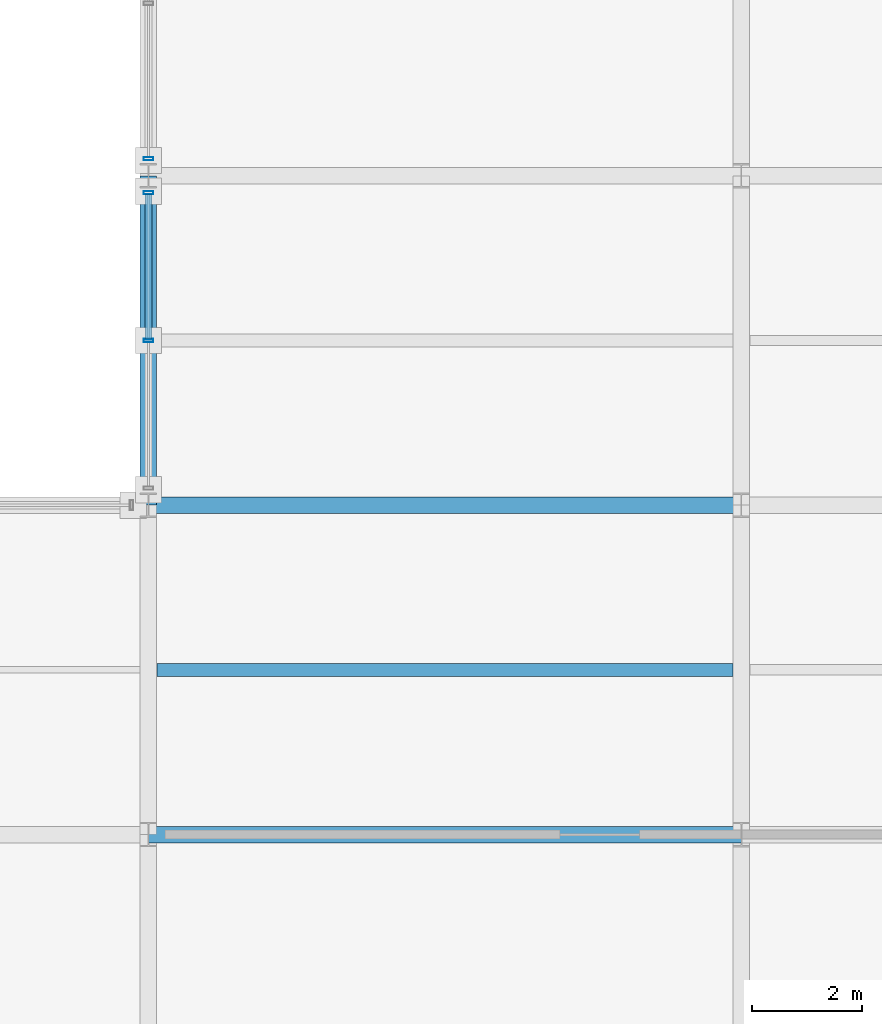
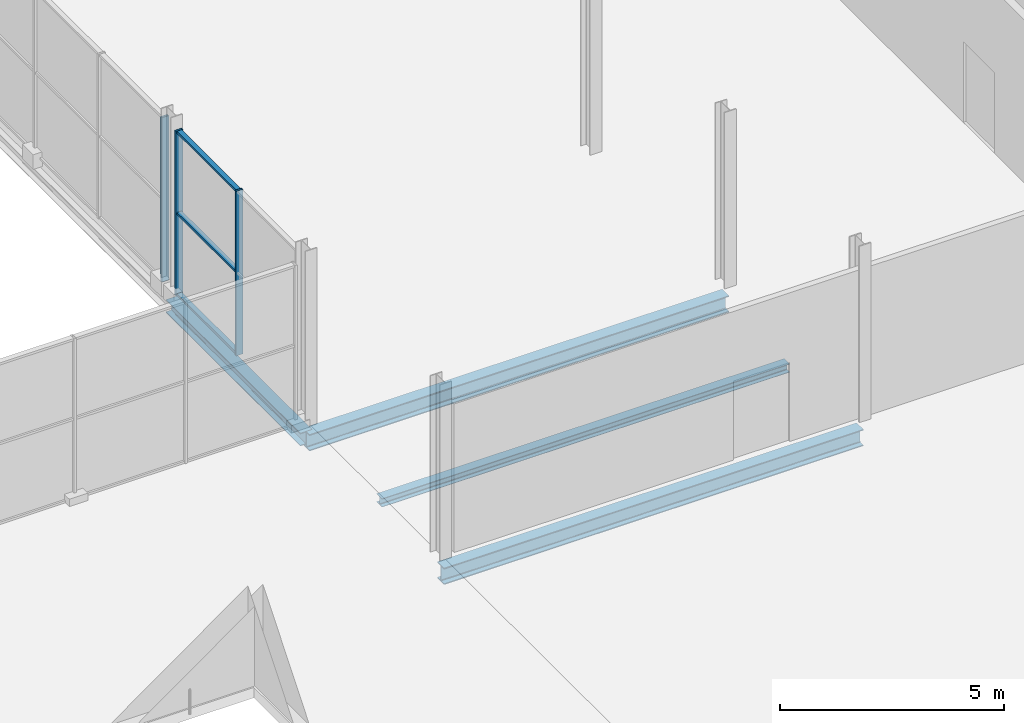
# One storey, part 112 of 159: 6 members, 4 beams, 2 elements without a shape of their own.
"""IFC4 building model written with IfcOpenShell, lengths in metres."""

from ifc_helpers import new_model, si_unit, direction, frame, origin, origin_2d, place, context, subcontext, project, spatial, hollow_rectangle, i_section, extrude, material, material_profile, profile_set, type_object, element, aggregate, save


model = new_model("IFC4")

# Units and contexts
model_context = context("Model", 3, precision=1e-05, world=origin(), true_north=direction((0.0, 1.0)))
body_context = subcontext(model_context, "Body", "Model", "MODEL_VIEW")
ifc_project = project(units=[si_unit("LENGTHUNIT", "METRE"), si_unit("AREAUNIT", "SQUARE_METRE"), si_unit("VOLUMEUNIT", "CUBIC_METRE"), si_unit("PLANEANGLEUNIT", "RADIAN"), si_unit("MASSUNIT", "GRAM", prefix="KILO")], contexts=[model_context])

# Site, building, storey
site_placement = place(None, origin())
site = spatial("IfcSite", under=ifc_project, at=site_placement, CompositionType="ELEMENT")
building_placement = place(site_placement, origin())
building = spatial("IfcBuilding", under=site, at=building_placement, Name="Merenkruunu Market Hall", CompositionType="ELEMENT")
storey_placement = place(building_placement, frame((0.0, 0.0, 5.39990234375)))
storey = spatial("IfcBuildingStorey", under=building, at=storey_placement, Name="L01", CompositionType="ELEMENT", Elevation=5.39990234375)

# Curtain wall, members
ifc_material_1 = material(Name="Powder-coated aluminium", Category="aluminium")
curtain_wall_type = type_object("IfcCurtainWallType", Name="Glazed Curtain Wall CW14", PredefinedType="USERDEFINED", material=ifc_material_1)
curtain_wall_1_placement = place(storey_placement, origin())
curtain_wall_1 = element("IfcCurtainWall", 1, at=curtain_wall_1_placement, inside=storey, type_object=curtain_wall_type, Name="CW-L01-CWM02-213", ObjectType="GLAZED_FACADE", PredefinedType="USERDEFINED")
ifc_material_profile_1 = material_profile(ifc_material_1, hollow_rectangle(XDim=0.06005859375, YDim=0.179931640625, WallThickness=0.00390625, at=origin_2d()), Name="ALU 60x180x4")
ifc_profile_set_1 = profile_set([ifc_material_profile_1], Name="Powder-coated aluminium")
member_type_1 = type_object("IfcMemberType", Name="Curtain Wall Mullion CWM02", PredefinedType="MULLION", material=ifc_profile_set_1)
member_1_placement = place(storey_placement, frame((148.800048828125, 48.60009765625, 0.0), z_axis=(0.0, 0.0, 1.0), x_axis=(0.0, 1.0, 0.0)))
member_1 = element("IfcMember", 2, at=member_1_placement, type_object=member_type_1, Name="CW14 mullion 2", PredefinedType="MULLION", context=body_context, shape_type="SweptSolid", body=[
    extrude(hollow_rectangle(XDim=0.06005859375, YDim=0.179931640625, WallThickness=0.00390625, at=origin_2d()), origin(), (0.0, 0.0, 1.0), 4.47998046875),
])
member_2_placement = place(storey_placement, frame((148.800048828125, 51.2900390625, 0.0), z_axis=(0.0, 0.0, 1.0), x_axis=(0.0, 1.0, 0.0)))
member_2 = element("IfcMember", 3, at=member_2_placement, type_object=member_type_1, Name="CW14 mullion 3", PredefinedType="MULLION", context=body_context, shape_type="SweptSolid", body=[
    extrude(hollow_rectangle(XDim=0.06005859375, YDim=0.179931640625, WallThickness=0.00390625, at=origin_2d()), origin(), (0.0, 0.0, 1.0), 4.47998046875),
])

# Curtain wall, member
curtain_wall_2_placement = place(storey_placement, origin())
curtain_wall_2 = element("IfcCurtainWall", 4, at=curtain_wall_2_placement, inside=storey, type_object=curtain_wall_type, Name="CW-L01-CWM02-214", ObjectType="GLAZED_FACADE", PredefinedType="USERDEFINED")
member_3_placement = place(storey_placement, frame((148.800048828125, 51.909912109375, 0.0), z_axis=(0.0, 0.0, 1.0), x_axis=(0.0, 1.0, 0.0)))
member_3 = element("IfcMember", 5, at=member_3_placement, type_object=member_type_1, Name="CW14 mullion 1", PredefinedType="MULLION", context=body_context, shape_type="SweptSolid", body=[
    extrude(hollow_rectangle(XDim=0.06005859375, YDim=0.179931640625, WallThickness=0.00390625, at=origin_2d()), origin(), (0.0, 0.0, 1.0), 4.47998046875),
])
aggregate(curtain_wall_2, [member_3])

# Member
ifc_material_profile_2 = material_profile(ifc_material_1, hollow_rectangle(XDim=0.06005859375, YDim=0.125, WallThickness=0.00390625, at=origin_2d()), Name="ALU 60x125x4")
ifc_profile_set_2 = profile_set([ifc_material_profile_2], Name="Powder-coated aluminium")
member_type_2 = type_object("IfcMemberType", Name="Curtain Wall Transom CWT01", PredefinedType="USERDEFINED", material=ifc_profile_set_2)
member_4_placement = place(storey_placement, frame((148.800048828125, 48.6298828125, 0.030029296875), z_axis=(0.0, 1.0, 0.0), x_axis=(0.0, 0.0, 1.0)))
member_4 = element("IfcMember", 6, at=member_4_placement, type_object=member_type_2, Name="CW14 transom 2.1", ObjectType="TRANSOM", PredefinedType="USERDEFINED", context=body_context, shape_type="SweptSolid", body=[
    extrude(hollow_rectangle(XDim=0.06005859375, YDim=0.125, WallThickness=0.00390625, at=origin_2d()), origin(), (0.0, 0.0, 1.0), 2.630126953125),
])

member_5_placement = place(storey_placement, frame((148.800048828125, 48.6298828125, 2.239990234375), z_axis=(0.0, 1.0, 0.0), x_axis=(0.0, 0.0, 1.0)))
member_5 = element("IfcMember", 7, at=member_5_placement, type_object=member_type_2, Name="CW14 transom 2.2", ObjectType="TRANSOM", PredefinedType="USERDEFINED", context=body_context, shape_type="SweptSolid", body=[
    extrude(hollow_rectangle(XDim=0.06005859375, YDim=0.125, WallThickness=0.00390625, at=origin_2d()), origin(), (0.0, 0.0, 1.0), 2.630126953125),
])

member_6_placement = place(storey_placement, frame((148.800048828125, 48.6298828125, 4.4501953125), z_axis=(0.0, 1.0, 0.0), x_axis=(0.0, 0.0, 1.0)))
member_6 = element("IfcMember", 8, at=member_6_placement, type_object=member_type_2, Name="CW14 transom 2.3", ObjectType="TRANSOM", PredefinedType="USERDEFINED", context=body_context, shape_type="SweptSolid", body=[
    extrude(hollow_rectangle(XDim=0.06005859375, YDim=0.125, WallThickness=0.00390625, at=origin_2d()), origin(), (0.0, 0.0, 1.0), 2.630126953125),
])

aggregate(curtain_wall_1, [member_1, member_2, member_4, member_5, member_6])

# Beams
ifc_material_2 = material(Name="Steel S355J2", Category="steel")
ifc_material_profile_3 = material_profile(ifc_material_2, i_section(OverallWidth=0.300048828125, OverallDepth=0.449951171875, WebThickness=0.013916015625, FlangeThickness=0.02587890625, FilletRadius=0.027099609375, at=origin_2d()), Name="HEB 450")
ifc_profile_set_3 = profile_set([ifc_material_profile_3], Name="Steel S355J2")
beam_type_1 = type_object("IfcBeamType", Name="Primary Floor Girder B03", PredefinedType="BEAM", material=ifc_profile_set_3)
for number, where, z_axis, x_axis, name in (
    (9, (148.800048828125, 39.60009765625, -0.5048828125), (1.0, 0.0, 0.0), (0.0, 1.0, 0.0), "BM-L01-B03-0503"),
    (10, (148.800048828125, 45.60009765625, -0.5048828125), (1.0, 0.0, 0.0), (0.0, 1.0, 0.0), "BM-L01-B03-0515"),
):
    element("IfcBeam", number, at=place(storey_placement, frame(where, z_axis=z_axis, x_axis=x_axis)), inside=storey, type_object=beam_type_1, Name=name, PredefinedType="BEAM", context=body_context, shape_type="SweptSolid", body=[
        extrude(i_section(OverallWidth=0.300048828125, OverallDepth=0.449951171875, WebThickness=0.013916015625, FlangeThickness=0.02587890625, FilletRadius=0.027099609375, at=origin_2d()), origin(), (0.0, 0.0, 1.0), 10.800048828125),
    ])
ifc_material_profile_4 = material_profile(ifc_material_2, i_section(OverallWidth=0.300048828125, OverallDepth=0.35009765625, WebThickness=0.010009765625, FlangeThickness=0.017578125, FilletRadius=0.027099609375, at=origin_2d()), Name="HEA 360")
ifc_profile_set_4 = profile_set([ifc_material_profile_4], Name="Steel S355J2")
beam_type_2 = type_object("IfcBeamType", Name="Primary Floor Girder B08", PredefinedType="BEAM", material=ifc_profile_set_4)
beam_1_placement = place(storey_placement, frame((148.800048828125, 45.60009765625, -0.454833984375), z_axis=(0.0, 1.0, 0.0), x_axis=(-1.0, 0.0, 0.0)))
element("IfcBeam", 11, at=beam_1_placement, inside=storey, type_object=beam_type_2, Name="BM-L01-B08-0620", PredefinedType="BEAM", context=body_context, shape_type="SweptSolid", body=[
    extrude(i_section(OverallWidth=0.300048828125, OverallDepth=0.35009765625, WebThickness=0.010009765625, FlangeThickness=0.017578125, FilletRadius=0.027099609375, at=origin_2d()), origin(), (0.0, 0.0, 1.0), 6.0),
])
ifc_material_profile_5 = material_profile(ifc_material_2, i_section(OverallWidth=0.239990234375, OverallDepth=0.22998046875, WebThickness=0.007568359375, FlangeThickness=0.011962890625, FilletRadius=0.02099609375, at=origin_2d()), Name="HEA 240")
ifc_profile_set_5 = profile_set([ifc_material_profile_5], Name="Steel S355J2")
beam_type_3 = type_object("IfcBeamType", Name="Secondary Floor Joist J06", PredefinedType="JOIST", material=ifc_profile_set_5)
beam_2_placement = place(storey_placement, frame((148.952880859375, 42.60009765625, -0.39501953125), z_axis=(1.0, 0.0, 0.0), x_axis=(0.0, 1.0, 0.0)))
element("IfcBeam", 12, at=beam_2_placement, inside=storey, type_object=beam_type_3, Name="BM-L01-J06-0707", PredefinedType="JOIST", context=body_context, shape_type="SweptSolid", body=[
    extrude(i_section(OverallWidth=0.239990234375, OverallDepth=0.22998046875, WebThickness=0.007568359375, FlangeThickness=0.011962890625, FilletRadius=0.02099609375, at=origin_2d()), origin(), (0.0, 0.0, 1.0), 10.494140625),
])

save(model, "model.ifc")
